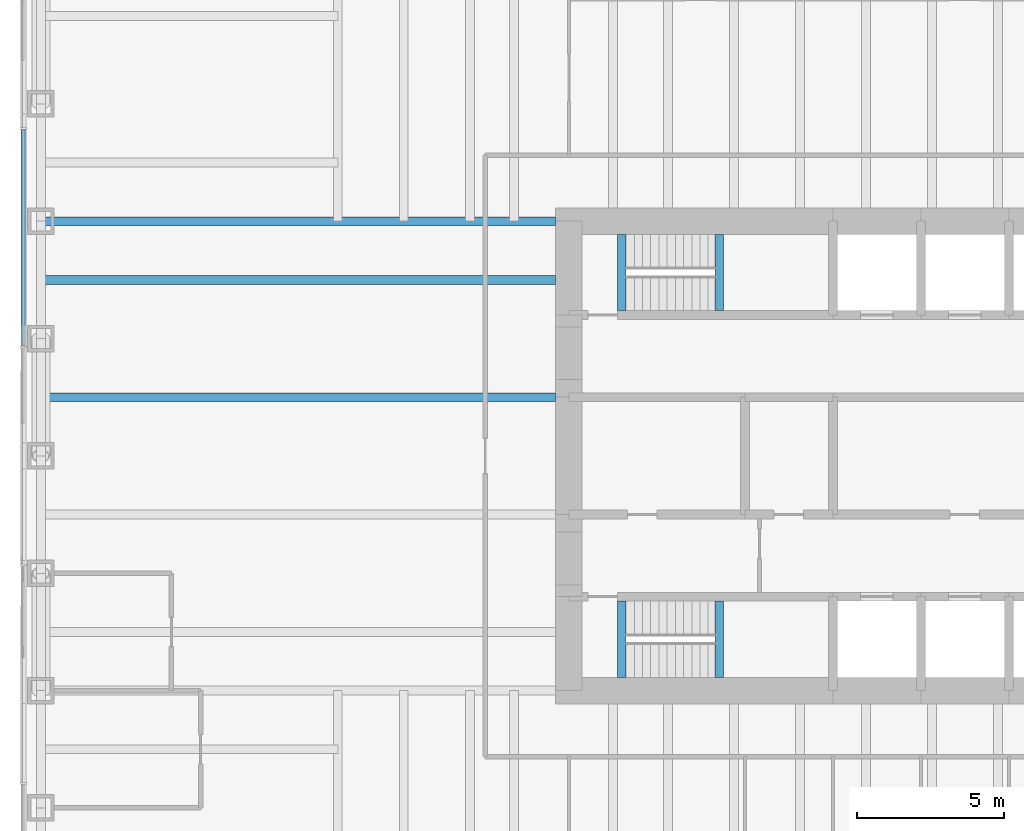
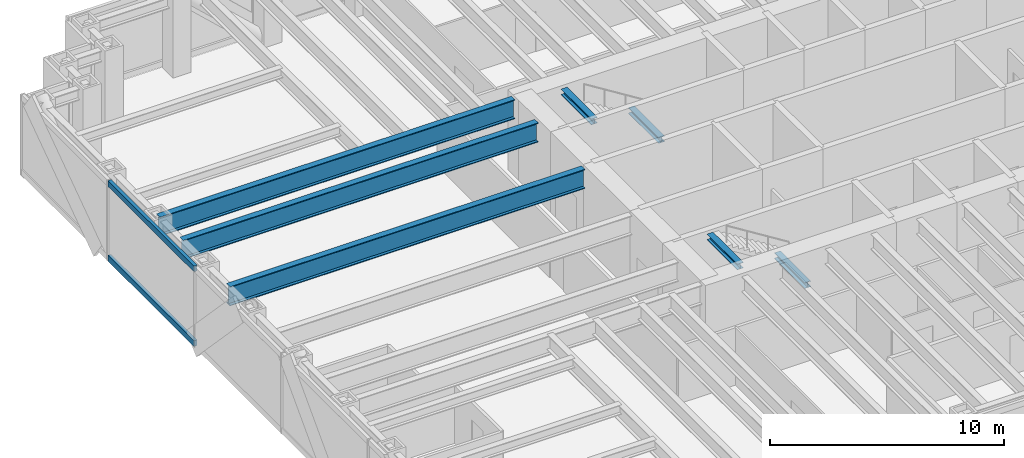
# One storey, part 3 of 15: 7 beams, 2 members, 1 element without a shape of its own.
"""IFC4 building model written with IfcOpenShell, lengths in metres."""

from ifc_helpers import new_model, si_unit, direction, frame, origin, origin_2d, place, context, subcontext, project, spatial, rectangle, i_section, extrude, material, material_profile, profile_set, type_object, element, aggregate, save


model = new_model("IFC4")

# Units and contexts
model_context = context("Model", 3, precision=1e-05, world=origin(), true_north=direction((0.0, 1.0)))
body_context = subcontext(model_context, "Body", "Model", "MODEL_VIEW")
ifc_project = project(units=[si_unit("LENGTHUNIT", "METRE"), si_unit("AREAUNIT", "SQUARE_METRE"), si_unit("VOLUMEUNIT", "CUBIC_METRE"), si_unit("PLANEANGLEUNIT", "RADIAN"), si_unit("MASSUNIT", "GRAM", prefix="KILO")], contexts=[model_context])

# Site, building, storey
site_placement = place(None, origin())
site = spatial("IfcSite", under=ifc_project, at=site_placement, CompositionType="ELEMENT")
building_placement = place(site_placement, origin())
building = spatial("IfcBuilding", under=site, at=building_placement, Name="Rheinbord Bourse Tower", CompositionType="ELEMENT")
storey_placement = place(building_placement, frame((0.0, 0.0, 117.300048828125)))
storey = spatial("IfcBuildingStorey", under=building, at=storey_placement, Name="L25", CompositionType="ELEMENT", Elevation=117.300048828125)

# Curtain wall, members
ifc_material_1 = material(Name="Dark glass and black aluminium", Category="aluminium")
curtain_wall_type = type_object("IfcCurtainWallType", Name="CW2 DARK GLASS CURTAIN WALL", PredefinedType="USERDEFINED", material=ifc_material_1)
curtain_wall_placement = place(storey_placement, origin())
curtain_wall = element("IfcCurtainWall", 1, at=curtain_wall_placement, inside=storey, type_object=curtain_wall_type, Name="Curtain wall CW2 W L25", ObjectType="UNITISED CURTAIN WALL", PredefinedType="USERDEFINED")
ifc_material_2 = material(Name="Black anodised aluminium", Category="aluminium")
ifc_material_profile_1 = material_profile(ifc_material_2, rectangle(XDim=0.159912109375, YDim=0.300048828125, at=origin_2d()), Name="CW2 TRANSOM 300x160")
ifc_profile_set_1 = profile_set([ifc_material_profile_1], Name="Black anodised aluminium")
member_type = type_object("IfcMemberType", Name="CW2 BLACK TRANSOM", PredefinedType="USERDEFINED", material=ifc_profile_set_1)
member_1_placement = place(storey_placement, frame((-0.60009765625, 35.125, 0.14990234375), z_axis=(0.0, -1.0, 0.0), x_axis=(1.0, 0.0, 0.0)))
member_1 = element("IfcMember", 2, at=member_1_placement, type_object=member_type, Name="CW2 transom 2.1", ObjectType="TRANSOM", PredefinedType="USERDEFINED", context=body_context, shape_type="SweptSolid", body=[
    extrude(rectangle(XDim=0.159912109375, YDim=0.300048828125, at=origin_2d()), origin(), (0.0, 0.0, 1.0), 7.3701171875),
])
member_2_placement = place(storey_placement, frame((-0.60009765625, 35.125, 4.050048828125), z_axis=(0.0, -1.0, 0.0), x_axis=(1.0, 0.0, 0.0)))
member_2 = element("IfcMember", 3, at=member_2_placement, type_object=member_type, Name="CW2 transom 2.2", ObjectType="TRANSOM", PredefinedType="USERDEFINED", context=body_context, shape_type="SweptSolid", body=[
    extrude(rectangle(XDim=0.159912109375, YDim=0.300048828125, at=origin_2d()), origin(), (0.0, 0.0, 1.0), 7.3701171875),
])
aggregate(curtain_wall, [member_1, member_2])

# Beams
ifc_material_3 = material(Name="Steel S460", Category="steel")
ifc_material_profile_2 = material_profile(ifc_material_3, i_section(OverallWidth=0.302001953125, OverallDepth=1.008056640625, WebThickness=0.02099609375, FlangeThickness=0.0400390625, at=origin_2d()), Name="HEM 1000")
ifc_profile_set_2 = profile_set([ifc_material_profile_2], Name="Steel S460")
beam_type_1 = type_object("IfcBeamType", Name="END BEAM HEM 1000", PredefinedType="BEAM", material=ifc_profile_set_2)
for number, where, z_axis, x_axis, name in (
    (4, (0.0, 26.0, 3.535888671875), (1.0, 0.0, 0.0), (0.0, 1.0, 0.0), "End beam west 26 L26"),
    (5, (0.0, 30.0, 3.535888671875), (1.0, 0.0, 0.0), (0.0, 1.0, 0.0), "End beam west 30 L26"),
):
    element("IfcBeam", number, at=place(storey_placement, frame(where, z_axis=z_axis, x_axis=x_axis)), inside=storey, type_object=beam_type_1, Name=name, PredefinedType="BEAM", context=body_context, shape_type="SweptSolid", body=[
        extrude(i_section(OverallWidth=0.302001953125, OverallDepth=1.008056640625, WebThickness=0.02099609375, FlangeThickness=0.0400390625, at=origin_2d()), origin(), (0.0, 0.0, 1.0), 17.550048828125),
    ])
ifc_material_4 = material(Name="Steel S460", Category="steel")
ifc_material_profile_3 = material_profile(ifc_material_4, i_section(OverallWidth=0.302001953125, OverallDepth=1.008056640625, WebThickness=0.02099609375, FlangeThickness=0.0400390625, at=origin_2d()), Name="HEM 1000")
ifc_profile_set_3 = profile_set([ifc_material_profile_3], Name="Steel S460")
beam_type_2 = type_object("IfcBeamType", Name="GIRDER HEM 1000", PredefinedType="BEAM", material=ifc_profile_set_3)
beam_placement = place(storey_placement, frame((0.0, 32.0, 3.535888671875), z_axis=(1.0, 0.0, 0.0), x_axis=(0.0, 1.0, 0.0)))
element("IfcBeam", 6, at=beam_placement, inside=storey, type_object=beam_type_2, Name="Girder west 32 L26", PredefinedType="BEAM", context=body_context, shape_type="SweptSolid", body=[
    extrude(i_section(OverallWidth=0.302001953125, OverallDepth=1.008056640625, WebThickness=0.02099609375, FlangeThickness=0.0400390625, at=origin_2d()), origin(), (0.0, 0.0, 1.0), 17.550048828125),
])
ifc_material_5 = material(Name="Steel S460", Category="steel")
ifc_material_profile_4 = material_profile(ifc_material_5, i_section(OverallWidth=0.300048828125, OverallDepth=0.300048828125, WebThickness=0.010986328125, FlangeThickness=0.01904296875, at=origin_2d()), Name="HEB 300")
ifc_profile_set_4 = profile_set([ifc_material_profile_4], Name="Steel S460")
beam_type_3 = type_object("IfcBeamType", Name="LANDING TRIMMER HEB 300", PredefinedType="BEAM", material=ifc_profile_set_4)
for number, where, z_axis, x_axis, name in (
    (7, (23.1298828125, 16.449951171875, 1.75), (0.0, 1.0, 0.0), (-1.0, 0.0, 0.0), "Landing trimmer ST1 L25"),
    (8, (19.800048828125, 16.449951171875, 3.889892578125), (0.0, 1.0, 0.0), (-1.0, 0.0, 0.0), "Well trimmer ST1 under L26"),
    (9, (23.1298828125, 28.949951171875, 1.75), (0.0, 1.0, 0.0), (-1.0, 0.0, 0.0), "Landing trimmer ST2 L25"),
    (10, (19.800048828125, 28.949951171875, 3.889892578125), (0.0, 1.0, 0.0), (-1.0, 0.0, 0.0), "Well trimmer ST2 under L26"),
):
    element("IfcBeam", number, at=place(storey_placement, frame(where, z_axis=z_axis, x_axis=x_axis)), inside=storey, type_object=beam_type_3, Name=name, PredefinedType="BEAM", context=body_context, shape_type="SweptSolid", body=[
        extrude(i_section(OverallWidth=0.300048828125, OverallDepth=0.300048828125, WebThickness=0.010986328125, FlangeThickness=0.01904296875, at=origin_2d()), origin(), (0.0, 0.0, 1.0), 2.60009765625),
    ])

save(model, "model.ifc")
